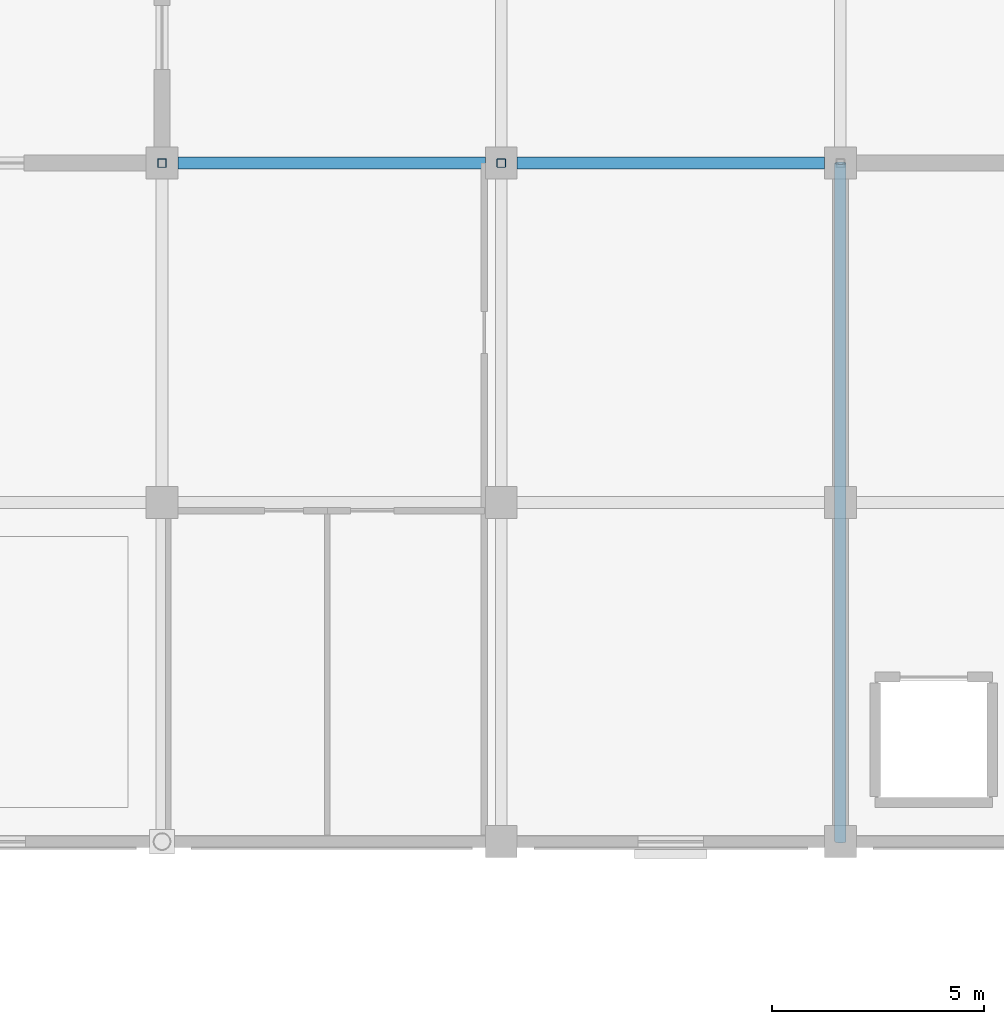
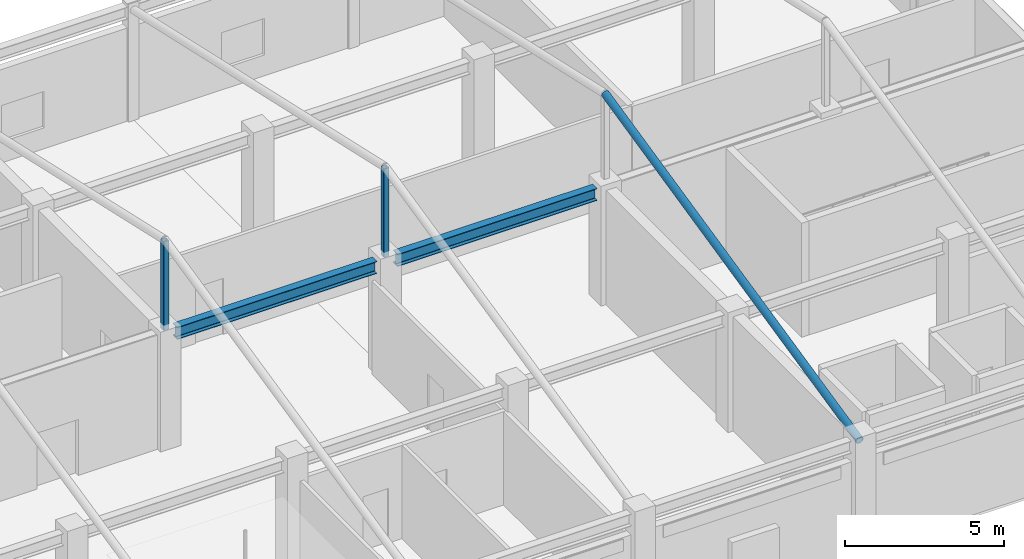
# One storey, part 7 of 16: 3 members, 2 beams.
"""IFC4 building model written with IfcOpenShell, lengths in metres."""

import ifcopenshell
import ifcopenshell.guid

model = None  # the IFC model being written
_history = None  # IfcOwnerHistory: only IFC2X3 demands one
_inside = {}  # id of a spatial element -> (the spatial element, [elements in it])
_under = {}  # id of a project, library or spatial element -> (it, [spatial elements below it])
_declared = {}  # id of a project -> (the project, [libraries it declares])
_typed = {}  # id of a type object -> (the type object, [elements of that type])
_made_of = {}  # id of a material, layer set ... -> (it, [elements and type objects made of it])


def new_model(schema):
    """Start an empty IFC model of exactly this schema.

    Asked for "IFC4X3", IfcOpenShell would pick the latest addendum, in which some entities
    have other attributes; the version numbers below select the first issue.
    IFC2X3 requires an IfcOwnerHistory on every rooted entity: one is made here for all.
    """
    global model, _history
    if schema == "IFC4X3":
        model = ifcopenshell.file(schema_version=(4, 3, 0, 0))
    else:
        model = ifcopenshell.file(schema=schema)
    _inside.clear()
    _under.clear()
    _declared.clear()
    _typed.clear()
    _made_of.clear()
    _history = None
    if model.schema == "IFC2X3":
        org = make("IfcOrganization", Name="unknown")
        user = make(
            "IfcPersonAndOrganization",
            ThePerson=make("IfcPerson", FamilyName="unknown"),
            TheOrganization=org,
        )
        app = make(
            "IfcApplication",
            ApplicationDeveloper=org,
            Version="unknown",
            ApplicationFullName="unknown",
            ApplicationIdentifier="unknown",
        )
        _history = make(
            "IfcOwnerHistory",
            OwningUser=user,
            OwningApplication=app,
            ChangeAction="ADDED",
            CreationDate=0,
        )
    return model


def make(cls, **values):
    """One entity of the class cls with the attributes given. An attribute that is None is left unset."""
    return model.create_entity(
        cls, **{name: value for name, value in values.items() if value is not None}
    )


def rooted(cls, **values):
    """An entity with a GlobalId (a new one), such as an element, a storey or a relation."""
    return make(cls, GlobalId=ifcopenshell.guid.new(), OwnerHistory=_history, **values)


def si_unit(unit_type, name, prefix=None):
    """IfcSIUnit, for example si_unit("LENGTHUNIT", "METRE", prefix="MILLI")."""
    return make("IfcSIUnit", UnitType=unit_type, Prefix=prefix, Name=name)


def assignment(units):
    """IfcUnitAssignment: the units of a project."""
    return None if units is None else make("IfcUnitAssignment", Units=units)


def point(xyz):
    """IfcCartesianPoint."""
    return None if xyz is None else make("IfcCartesianPoint", Coordinates=xyz)


def direction(xyz):
    """IfcDirection."""
    return None if xyz is None else make("IfcDirection", DirectionRatios=xyz)


def frame(location, z_axis=None, x_axis=None):
    """IfcAxis2Placement3D, a coordinate frame: its origin and axes. An axis left out is left unset."""
    return make(
        "IfcAxis2Placement3D",
        Location=point(location),
        Axis=direction(z_axis),
        RefDirection=direction(x_axis),
    )


def frame_2d(location, x_axis=None):
    """IfcAxis2Placement2D, a coordinate frame in the plane: its origin and x axis."""
    return make(
        "IfcAxis2Placement2D", Location=point(location), RefDirection=direction(x_axis)
    )


def origin():
    """The frame at (0, 0, 0) with its axes left unset."""
    return frame((0.0, 0.0, 0.0))


def origin_2d():
    """The frame at (0, 0) in the plane with its x axis left unset."""
    return frame_2d((0.0, 0.0))


def place(relative_to, where):
    """IfcLocalPlacement: puts the frame where relative to a parent placement (None: the world)."""
    return make(
        "IfcLocalPlacement", PlacementRelTo=relative_to, RelativePlacement=where
    )


def context(
    kind, dimensions, precision=None, world=None, true_north=None, identifier=None
):
    """IfcGeometricRepresentationContext, for example the 3D "Model" context."""
    return make(
        "IfcGeometricRepresentationContext",
        ContextIdentifier=identifier,
        ContextType=kind,
        CoordinateSpaceDimension=dimensions,
        Precision=precision,
        WorldCoordinateSystem=world,
        TrueNorth=true_north,
    )


def subcontext(parent, identifier, kind, view, scale=None):
    """IfcGeometricRepresentationSubContext, for example "Body" below "Model"."""
    return make(
        "IfcGeometricRepresentationSubContext",
        ContextIdentifier=identifier,
        ContextType=kind,
        ParentContext=parent,
        TargetScale=scale,
        TargetView=view,
    )


def project(units=None, contexts=None):
    """IfcProject with its units and contexts."""
    return rooted(
        "IfcProject",
        Name="project",
        RepresentationContexts=contexts,
        UnitsInContext=assignment(units),
    )


def spatial(cls, under=None, at=None, **own):
    """A site, building, storey or space (cls), placed at a placement, below another one or the project."""
    s = rooted(cls, ObjectPlacement=at, **own)
    if under is not None:
        _under.setdefault(under.id(), (under, []))[1].append(s)
    return s


def profile(cls, at=None, kind="AREA", **sizes):
    """A parametric profile (cls). Its sizes go by their IFC names, for example OverallWidth=200.0."""
    return make(cls, ProfileType=kind, Position=at, **sizes)


def hollow_rectangle(**sizes):
    """IfcRectangleHollowProfileDef."""
    return profile("IfcRectangleHollowProfileDef", **sizes)


def hollow_circle(**sizes):
    """IfcCircleHollowProfileDef."""
    return profile("IfcCircleHollowProfileDef", **sizes)


def i_section(**sizes):
    """IfcIShapeProfileDef."""
    return profile("IfcIShapeProfileDef", **sizes)


def extrude(swept, where, along, depth):
    """IfcExtrudedAreaSolid: the profile swept, set in the frame where, extruded along a direction by depth."""
    return make(
        "IfcExtrudedAreaSolid",
        SweptArea=swept,
        Position=where,
        ExtrudedDirection=direction(along),
        Depth=depth,
    )


def shape(context_of_items, identifier, shape_type, items):
    """IfcShapeRepresentation: the items that make up one representation, for example the "Body"."""
    return make(
        "IfcShapeRepresentation",
        ContextOfItems=context_of_items,
        RepresentationIdentifier=identifier,
        RepresentationType=shape_type,
        Items=items,
    )


def material(Name=None, Category=None):
    """IfcMaterial."""
    return make("IfcMaterial", Name=Name, Category=Category)


def material_profile(
    of_material, cross_section, Name=None, Category=None, Priority=None
):
    """IfcMaterialProfile: a cross section and its material."""
    return make(
        "IfcMaterialProfile",
        Name=Name,
        Material=of_material,
        Profile=cross_section,
        Priority=Priority,
        Category=Category,
    )


def profile_set(profiles, Name=None, composite=None):
    """IfcMaterialProfileSet."""
    return make(
        "IfcMaterialProfileSet",
        Name=Name,
        MaterialProfiles=profiles,
        CompositeProfile=composite,
    )


def made_of(thing, what):
    """Note that an element or type object is made of a material, layer set ...; save() writes the relation."""
    if what is not None:
        _made_of.setdefault(what.id(), (what, []))[1].append(thing)
    return thing


def type_object(cls, material=None, **own):
    """A type object (cls), such as IfcWallType, which elements share."""
    return made_of(rooted(cls, **own), material)


def element(
    cls,
    number,
    at=None,
    inside=None,
    cuts=None,
    type_object=None,
    material=None,
    context=None,
    identifier="Body",
    shape_type=None,
    held_by="IfcProductDefinitionShape",
    body=None,
    shapes=None,
    **own,
):
    """One element of the class cls, such as IfcWall. Its Tag is "e" and its number.

    at: its placement. inside: the storey or other place that contains it. cuts: it is an
    opening in that element (IfcRelVoidsElement). A single representation is given by context,
    identifier, shape_type and body (its items); several are given by shapes. held_by: the class
    of the entity that holds the representations. save() writes the other relations.
    """
    e = rooted(cls, Tag="e%d" % number, ObjectPlacement=at, **own)
    if body is not None:
        shapes = [shape(context, identifier, shape_type, body)]
    if shapes is not None:
        e.Representation = make(held_by, Representations=shapes)
    if inside is not None:
        _inside.setdefault(inside.id(), (inside, []))[1].append(e)
    if cuts is not None:
        rooted(
            "IfcRelVoidsElement", RelatingBuildingElement=cuts, RelatedOpeningElement=e
        )
    if type_object is not None:
        _typed.setdefault(type_object.id(), (type_object, []))[1].append(e)
    return made_of(e, material)


def aggregate(whole, parts):
    """IfcRelAggregates: a whole, such as a stair, and the parts it consists of."""
    return rooted("IfcRelAggregates", RelatingObject=whole, RelatedObjects=parts)


def save(model, path):
    """Write the relations noted so far, then the file.

    IfcRelAggregates (storeys below a building ...), IfcRelContainedInSpatialStructure (elements
    in a storey), IfcRelDefinesByType, IfcRelAssociatesMaterial and IfcRelDeclares: one each for
    every whole, place, type object, material and project.
    """
    for whole, parts in _under.values():
        aggregate(whole, parts)
    for where, things in _inside.values():
        rooted(
            "IfcRelContainedInSpatialStructure",
            RelatedElements=things,
            RelatingStructure=where,
        )
    for kind, things in _typed.values():
        rooted("IfcRelDefinesByType", RelatedObjects=things, RelatingType=kind)
    for what, things in _made_of.values():
        rooted("IfcRelAssociatesMaterial", RelatedObjects=things, RelatingMaterial=what)
    for by, libraries in _declared.values():
        rooted("IfcRelDeclares", RelatingContext=by, RelatedDefinitions=libraries)
    model.write(path)


model = new_model("IFC4")

# Units and contexts
model_context = context("Model", 3, precision=1e-05, world=origin(), true_north=direction((0.0, 1.0)))
body_context = subcontext(model_context, "Body", "Model", "MODEL_VIEW")
ifc_project = project(units=[si_unit("LENGTHUNIT", "METRE"), si_unit("AREAUNIT", "SQUARE_METRE"), si_unit("VOLUMEUNIT", "CUBIC_METRE"), si_unit("PLANEANGLEUNIT", "RADIAN"), si_unit("MASSUNIT", "GRAM", prefix="KILO")], contexts=[model_context])

# Site, building, storey
site_placement = place(None, origin())
site = spatial("IfcSite", under=ifc_project, at=site_placement, CompositionType="ELEMENT")
building_placement = place(site_placement, origin())
building = spatial("IfcBuilding", under=site, at=building_placement, Name="Solmirada Galleria", CompositionType="ELEMENT")
storey_placement = place(building_placement, frame((0.0, 0.0, 32.89990234375)))
storey = spatial("IfcBuildingStorey", under=building, at=storey_placement, Name="L07", CompositionType="ELEMENT", Elevation=32.89990234375)

# Beams
ifc_material_1 = material(Name="Steel S355 / ASTM A992 Grade 50", Category="steel")
ifc_material_profile_1 = material_profile(ifc_material_1, i_section(OverallWidth=0.281982421875, OverallDepth=0.467041015625, WebThickness=0.01220703125, FlangeThickness=0.01953125, FilletRadius=0.013916015625, at=origin_2d()), Name="W18X86")
ifc_profile_set_1 = profile_set([ifc_material_profile_1], Name="Steel S355 / ASTM A992 Grade 50")
beam_type = type_object("IfcBeamType", Name="BM-GIRD-W18A", PredefinedType="BEAM", material=ifc_profile_set_1)
for number, where, z_axis, x_axis, name in (
    (1, (144.375, 104.0, 4.150146484375), (1.0, 0.0, 0.0), (0.0, 1.0, 0.0), "NE roof tie girder X=144..152"),
    (2, (152.375, 104.0, 4.150146484375), (1.0, 0.0, 0.0), (0.0, 1.0, 0.0), "NE roof tie girder X=152..160"),
):
    element("IfcBeam", number, at=place(storey_placement, frame(where, z_axis=z_axis, x_axis=x_axis)), inside=storey, type_object=beam_type, Name=name, PredefinedType="BEAM", context=body_context, shape_type="SweptSolid", body=[
        extrude(i_section(OverallWidth=0.281982421875, OverallDepth=0.467041015625, WebThickness=0.01220703125, FlangeThickness=0.01953125, FilletRadius=0.013916015625, at=origin_2d()), origin(), (0.0, 0.0, 1.0), 7.25),
    ])

# Members
ifc_material_2 = material(Name="Steel S355 / ASTM A500 Grade C", Category="steel")
ifc_material_profile_2 = material_profile(ifc_material_2, hollow_rectangle(XDim=0.202880859375, YDim=0.202880859375, WallThickness=0.0087890625, InnerFilletRadius=0.0087890625, OuterFilletRadius=0.017822265625, at=origin_2d()), Name="HSS8X8X3/8")
ifc_profile_set_2 = profile_set([ifc_material_profile_2], Name="Steel S355 / ASTM A500 Grade C")
member_type_1 = type_object("IfcMemberType", Name="MEM-CBF-BRACE2", PredefinedType="BRACE", material=ifc_profile_set_2)
for number, where, z_axis, x_axis, name in (
    (3, (144.0, 104.0, 4.400146484375), (0.0, 0.0, 1.0), (1.0, 0.0, 0.0), "NE pediment ridge post X=144"),
    (4, (152.0, 104.0, 4.400146484375), (0.0, 0.0, 1.0), (1.0, 0.0, 0.0), "NE pediment ridge post X=152"),
):
    element("IfcMember", number, at=place(storey_placement, frame(where, z_axis=z_axis, x_axis=x_axis)), inside=storey, type_object=member_type_1, Name=name, PredefinedType="BRACE", context=body_context, shape_type="SweptSolid", body=[
        extrude(hollow_rectangle(XDim=0.202880859375, YDim=0.202880859375, WallThickness=0.0087890625, InnerFilletRadius=0.0087890625, OuterFilletRadius=0.017822265625, at=origin_2d()), origin(), (0.0, 0.0, 1.0), 3.39990234375),
    ])
ifc_material_profile_3 = material_profile(ifc_material_2, hollow_circle(Radius=0.136474609375, WallThickness=0.0087890625, at=origin_2d()), Name="HSS10.750X0.375")
ifc_profile_set_3 = profile_set([ifc_material_profile_3], Name="Steel S355 / ASTM A500 Grade C")
member_type_2 = type_object("IfcMemberType", Name="MEM-FH-CHORD", PredefinedType="CHORD", material=ifc_profile_set_3)
member_placement = place(storey_placement, frame((160.0, 88.0, 4.2001953125), z_axis=(0.0, 0.97561166892, 0.219503693515), x_axis=(-1.0, 0.0, 0.0)))
element("IfcMember", 5, at=member_placement, inside=storey, type_object=member_type_2, Name="NE pediment south rafter X=160", PredefinedType="CHORD", context=body_context, shape_type="SweptSolid", body=[
    extrude(hollow_circle(Radius=0.136474609375, WallThickness=0.0087890625, at=origin_2d()), origin(), (0.0, 0.0, 1.0), 16.39990234375),
])

save(model, "model.ifc")
